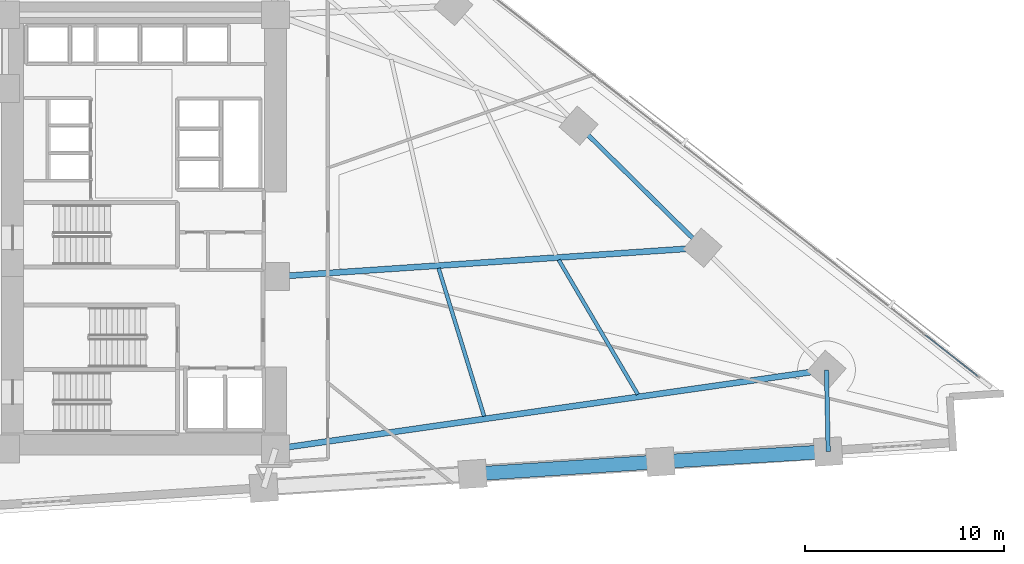
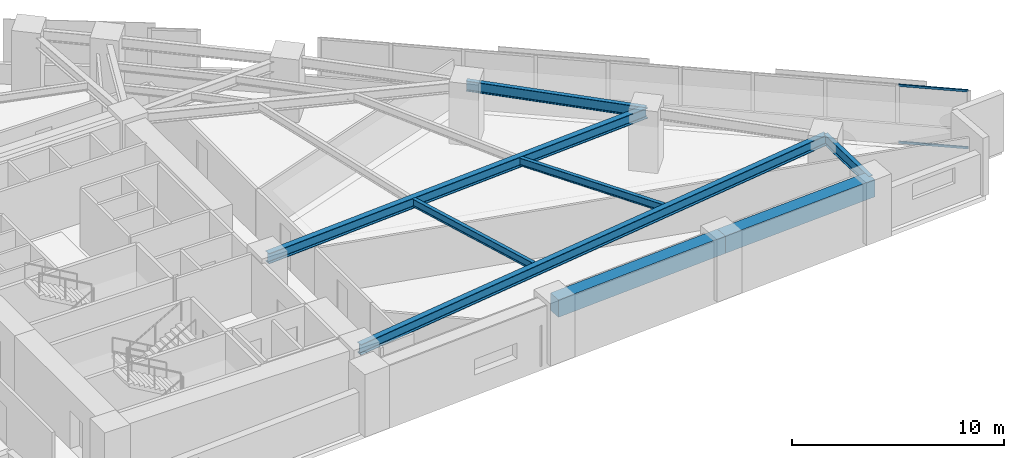
# One storey, part 3 of 16: 8 beams, 2 members, 1 element without a shape of its own.
"""IFC4 building model written with IfcOpenShell, lengths in metres."""

from ifc_helpers import new_model, si_unit, direction, frame, origin, origin_2d, place, context, subcontext, project, spatial, rectangle, hollow_rectangle, i_section, extrude, material, material_profile, profile_set, type_object, element, aggregate, save


model = new_model("IFC4")

# Units and contexts
model_context = context("Model", 3, precision=1e-05, world=origin(), true_north=direction((0.0, 1.0)))
body_context = subcontext(model_context, "Body", "Model", "MODEL_VIEW")
ifc_project = project(units=[si_unit("LENGTHUNIT", "METRE"), si_unit("AREAUNIT", "SQUARE_METRE"), si_unit("VOLUMEUNIT", "CUBIC_METRE"), si_unit("PLANEANGLEUNIT", "RADIAN"), si_unit("MASSUNIT", "GRAM", prefix="KILO")], contexts=[model_context])

# Site, building, storey
site_placement = place(None, origin())
site = spatial("IfcSite", under=ifc_project, at=site_placement, CompositionType="ELEMENT")
building_placement = place(site_placement, origin())
building = spatial("IfcBuilding", under=site, at=building_placement, Name="Narakoshi Arena Tower", CompositionType="ELEMENT")
storey_placement = place(building_placement, frame((0.0, 0.0, 84.89990234375)))
storey = spatial("IfcBuildingStorey", under=building, at=storey_placement, Name="L22", CompositionType="ELEMENT", Elevation=84.89990234375)

# Beams
ifc_material_1 = material(Name="Concrete C60/75", Category="concrete")
ifc_material_profile_1 = material_profile(ifc_material_1, rectangle(XDim=0.699951171875, YDim=1.0, at=origin_2d()), Name="RCB700x1000")
ifc_profile_set_1 = profile_set([ifc_material_profile_1], Name="Concrete C60/75")
beam_type_1 = type_object("IfcBeamType", Name="BM-CPL-1000", PredefinedType="BEAM", material=ifc_profile_set_1)
beam_1_placement = place(storey_placement, frame((95.44189453125, 33.43798828125, 2.840087890625), z_axis=(0.997857667494, 0.065422285367, 0.0), x_axis=(-0.065422285367, 0.997857667494, 0.0)))
element("IfcBeam", 1, at=beam_1_placement, inside=storey, type_object=beam_type_1, Name="L22 Perimeter Edge Girder 02", PredefinedType="BEAM", context=body_context, shape_type="SweptSolid", body=[
    extrude(rectangle(XDim=0.699951171875, YDim=1.0, at=origin_2d()), origin(), (0.0, 0.0, 1.0), 9.456298828125),
])
beam_2_placement = place(storey_placement, frame((104.8779296875, 34.056640625, 2.840087890625), z_axis=(0.998193929855, 0.060073941104, 0.0), x_axis=(-0.060073941104, 0.998193929855, 0.0)))
element("IfcBeam", 2, at=beam_2_placement, inside=storey, type_object=beam_type_1, Name="L22 Perimeter Edge Girder 03", PredefinedType="BEAM", context=body_context, shape_type="SweptSolid", body=[
    extrude(rectangle(XDim=0.699951171875, YDim=1.0, at=origin_2d()), origin(), (0.0, 0.0, 1.0), 8.436767578125),
])
ifc_material_2 = material(Name="Structural steel S355J2", Category="steel")
ifc_material_profile_2 = material_profile(ifc_material_2, i_section(OverallWidth=0.219970703125, OverallDepth=0.60009765625, WebThickness=0.011962890625, FlangeThickness=0.01904296875, FilletRadius=0.02392578125, at=origin_2d()), Name="IPE600")
ifc_profile_set_2 = profile_set([ifc_material_profile_2], Name="Structural steel S355J2")
beam_type_2 = type_object("IfcBeamType", Name="BM-EDGE-600", PredefinedType="BEAM", material=ifc_profile_set_2)
beam_3_placement = place(storey_placement, frame((113.299560546875, 34.5634765625, 3.0400390625), z_axis=(-0.020272933264, 0.99979448297, 0.0), x_axis=(-0.99979448297, -0.020272933264, 0.0)))
element("IfcBeam", 3, at=beam_3_placement, inside=storey, type_object=beam_type_2, Name="L22 Perimeter Edge Girder 04", PredefinedType="BEAM", context=body_context, shape_type="SweptSolid", body=[
    extrude(i_section(OverallWidth=0.219970703125, OverallDepth=0.60009765625, WebThickness=0.011962890625, FlangeThickness=0.01904296875, FilletRadius=0.02392578125, at=origin_2d()), origin(), (0.0, 0.0, 1.0), 4.1064453125),
])
beam_4_placement = place(storey_placement, frame((106.989990234375, 44.800537109375, 3.0400390625), z_axis=(-0.71256144736, 0.701609708981, 0.0), x_axis=(-0.701609708981, -0.71256144736, 0.0)))
element("IfcBeam", 4, at=beam_4_placement, inside=storey, type_object=beam_type_2, Name="L22 Perimeter Edge Girder 06", PredefinedType="BEAM", context=body_context, shape_type="SweptSolid", body=[
    extrude(i_section(OverallWidth=0.219970703125, OverallDepth=0.60009765625, WebThickness=0.011962890625, FlangeThickness=0.01904296875, FilletRadius=0.02392578125, at=origin_2d()), origin(), (0.0, 0.0, 1.0), 8.738525390625),
])
ifc_material_profile_3 = material_profile(ifc_material_2, i_section(OverallWidth=0.300048828125, OverallDepth=0.60009765625, WebThickness=0.015380859375, FlangeThickness=0.030029296875, FilletRadius=0.027099609375, at=origin_2d()), Name="HE600B")
ifc_profile_set_3 = profile_set([ifc_material_profile_3], Name="Structural steel S355J2")
beam_type_3 = type_object("IfcBeamType", Name="BM-PRI-600", PredefinedType="BEAM", material=ifc_profile_set_3)
beam_5_placement = place(storey_placement, frame((85.550048828125, 34.699951171875, 3.0400390625), z_axis=(0.989864586002, 0.142014440741, 0.0), x_axis=(-0.142014440741, 0.989864586002, 0.0)))
element("IfcBeam", 5, at=beam_5_placement, inside=storey, type_object=beam_type_3, Name="L22 Radial Primary Floor Girder 05", PredefinedType="BEAM", context=body_context, shape_type="SweptSolid", body=[
    extrude(i_section(OverallWidth=0.300048828125, OverallDepth=0.60009765625, WebThickness=0.015380859375, FlangeThickness=0.030029296875, FilletRadius=0.027099609375, at=origin_2d()), origin(), (0.0, 0.0, 1.0), 27.949462890625),
])
beam_6_placement = place(storey_placement, frame((85.550048828125, 43.35009765625, 3.0400390625), z_axis=(0.997719477205, 0.067496998498, 0.0), x_axis=(-0.067496998498, 0.997719477205, 0.0)))
element("IfcBeam", 6, at=beam_6_placement, inside=storey, type_object=beam_type_3, Name="L22 Radial Primary Floor Girder 06", PredefinedType="BEAM", context=body_context, shape_type="SweptSolid", body=[
    extrude(i_section(OverallWidth=0.300048828125, OverallDepth=0.60009765625, WebThickness=0.015380859375, FlangeThickness=0.030029296875, FilletRadius=0.027099609375, at=origin_2d()), origin(), (0.0, 0.0, 1.0), 21.489013671875),
])
ifc_material_profile_4 = material_profile(ifc_material_2, i_section(OverallWidth=0.18994140625, OverallDepth=0.449951171875, WebThickness=0.009521484375, FlangeThickness=0.0146484375, FilletRadius=0.02099609375, at=origin_2d()), Name="IPE450")
ifc_profile_set_4 = profile_set([ifc_material_profile_4], Name="Structural steel S355J2")
beam_type_4 = type_object("IfcBeamType", Name="BM-SEC-450", PredefinedType="JOIST", material=ifc_profile_set_4)
beam_7_placement = place(storey_placement, frame((96.0234375, 36.33740234375, 3.114990234375), z_axis=(-0.293966747192, 0.955815647259, 0.0), x_axis=(-0.955815647259, -0.293966747192, 0.0)))
element("IfcBeam", 7, at=beam_7_placement, inside=storey, type_object=beam_type_4, Name="L22 Composite Secondary Floor Joist 01", PredefinedType="JOIST", context=body_context, shape_type="SweptSolid", body=[
    extrude(i_section(OverallWidth=0.18994140625, OverallDepth=0.449951171875, WebThickness=0.009521484375, FlangeThickness=0.0146484375, FilletRadius=0.02099609375, at=origin_2d()), origin(), (0.0, 0.0, 1.0), 7.778564453125),
])
beam_8_placement = place(storey_placement, frame((103.741455078125, 37.43603515625, 3.114990234375), z_axis=(-0.50694388047, 0.861979061262, 0.0), x_axis=(-0.861979061262, -0.50694388047, 0.0)))
element("IfcBeam", 8, at=beam_8_placement, inside=storey, type_object=beam_type_4, Name="L22 Composite Secondary Floor Joist 02", PredefinedType="JOIST", context=body_context, shape_type="SweptSolid", body=[
    extrude(i_section(OverallWidth=0.18994140625, OverallDepth=0.449951171875, WebThickness=0.009521484375, FlangeThickness=0.0146484375, FilletRadius=0.02099609375, at=origin_2d()), origin(), (0.0, 0.0, 1.0), 7.83642578125),
])

# Curtain wall, members
ifc_material_3 = material(Name="Anodised bronze aluminium 6063-T6", Category="aluminium")
curtain_wall_type = type_object("IfcCurtainWallType", Name="CW-HYP-LOW", PredefinedType="NOTDEFINED", material=ifc_material_3)
curtain_wall_placement = place(storey_placement, origin())
curtain_wall = element("IfcCurtainWall", 9, at=curtain_wall_placement, inside=storey, type_object=curtain_wall_type, Name="L22 Folded Hypotenuse Curtain Wall 1-1", PredefinedType="NOTDEFINED")
ifc_material_profile_5 = material_profile(ifc_material_3, hollow_rectangle(XDim=0.06494140625, YDim=0.1298828125, WallThickness=0.00390625, OuterFilletRadius=0.0048828125, at=origin_2d()), Name="TRN130x65x4")
ifc_profile_set_5 = profile_set([ifc_material_profile_5], Name="Anodised bronze aluminium 6063-T6")
member_type = type_object("IfcMemberType", Name="MEM-TRN-130", PredefinedType="USERDEFINED", material=ifc_profile_set_5)
member_1_placement = place(storey_placement, frame((120.802978515625, 38.359130859375, 0.03271484375), z_axis=(-0.787347227026, 0.616509808596, 0.0), x_axis=(-0.616509808596, -0.787347227026, 0.0)))
member_1 = element("IfcMember", 10, at=member_1_placement, type_object=member_type, Name="CW-01 transom 1.1", ObjectType="TRANSOM", PredefinedType="USERDEFINED", context=body_context, shape_type="SweptSolid", body=[
    extrude(hollow_rectangle(XDim=0.06494140625, YDim=0.1298828125, WallThickness=0.00390625, OuterFilletRadius=0.0048828125, at=origin_2d()), origin(), (0.0, 0.0, 1.0), 3.331298828125),
])
member_2_placement = place(storey_placement, frame((120.802978515625, 38.359130859375, 3.3076171875), z_axis=(-0.787347227026, 0.616509808596, 0.0), x_axis=(-0.616509808596, -0.787347227026, 0.0)))
member_2 = element("IfcMember", 11, at=member_2_placement, type_object=member_type, Name="CW-01 transom 1.2", ObjectType="TRANSOM", PredefinedType="USERDEFINED", context=body_context, shape_type="SweptSolid", body=[
    extrude(hollow_rectangle(XDim=0.06494140625, YDim=0.1298828125, WallThickness=0.00390625, OuterFilletRadius=0.0048828125, at=origin_2d()), origin(), (0.0, 0.0, 1.0), 3.331298828125),
])
aggregate(curtain_wall, [member_1, member_2])

save(model, "model.ifc")
